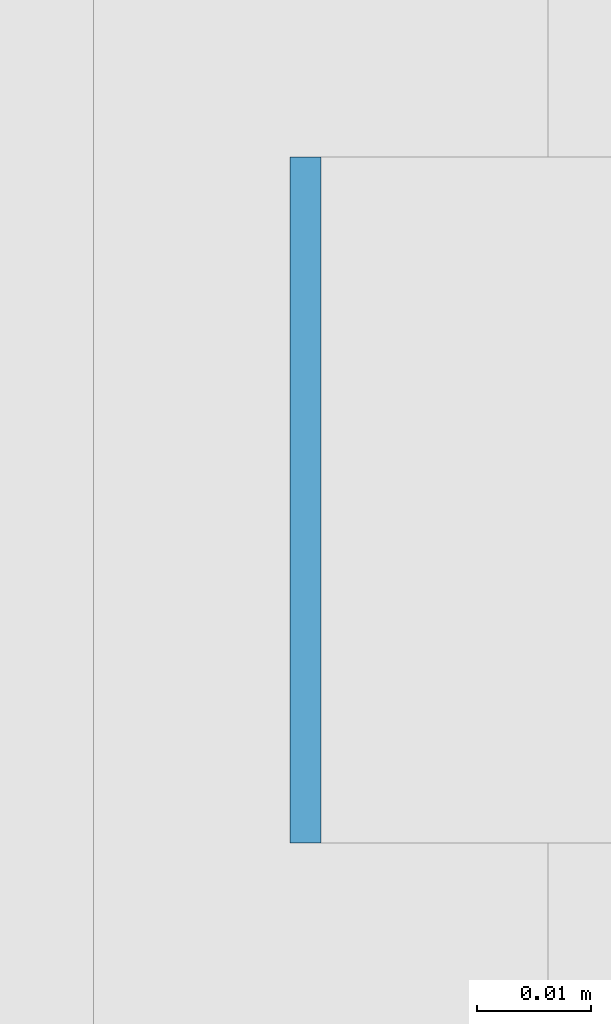
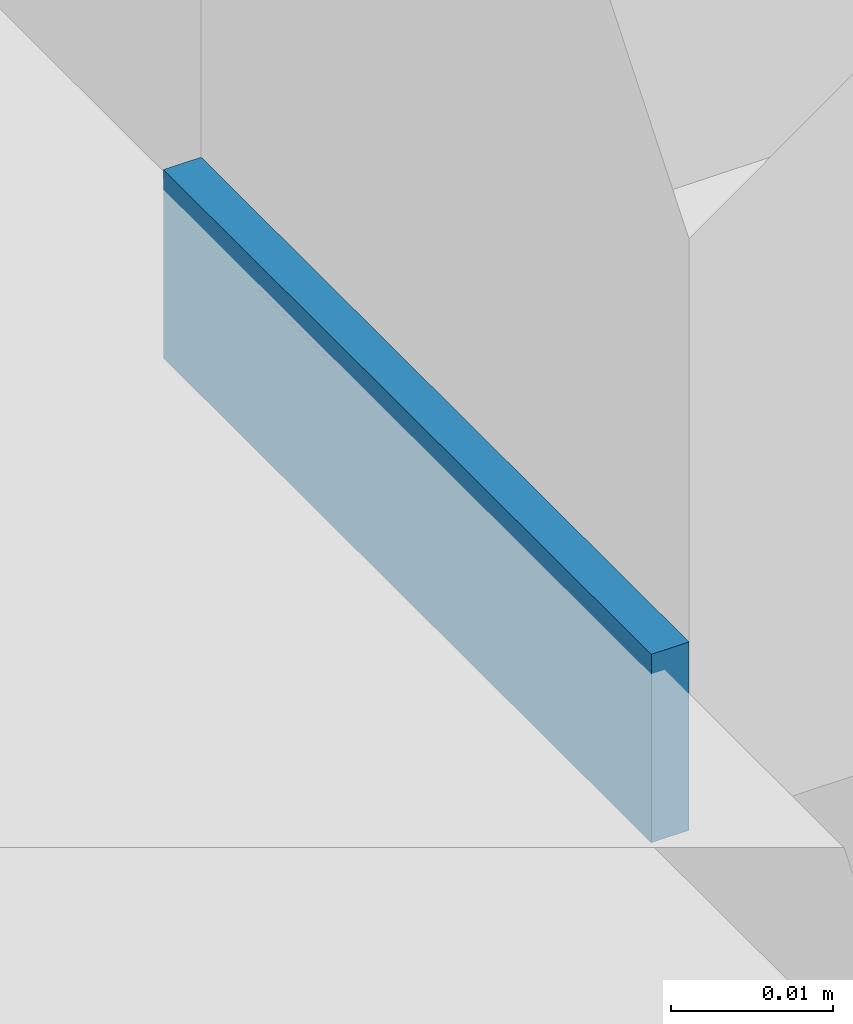
# One storey, part 496 of 646: 1 discrete accessory.
"""IFC4 building model written with IfcOpenShell, lengths in metres."""

import ifcopenshell
import ifcopenshell.guid

model = None  # the IFC model being written
_history = None  # IfcOwnerHistory: only IFC2X3 demands one
_inside = {}  # id of a spatial element -> (the spatial element, [elements in it])
_under = {}  # id of a project, library or spatial element -> (it, [spatial elements below it])
_declared = {}  # id of a project -> (the project, [libraries it declares])
_typed = {}  # id of a type object -> (the type object, [elements of that type])
_made_of = {}  # id of a material, layer set ... -> (it, [elements and type objects made of it])


def new_model(schema):
    """Start an empty IFC model of exactly this schema.

    Asked for "IFC4X3", IfcOpenShell would pick the latest addendum, in which some entities
    have other attributes; the version numbers below select the first issue.
    IFC2X3 requires an IfcOwnerHistory on every rooted entity: one is made here for all.
    """
    global model, _history
    if schema == "IFC4X3":
        model = ifcopenshell.file(schema_version=(4, 3, 0, 0))
    else:
        model = ifcopenshell.file(schema=schema)
    _inside.clear()
    _under.clear()
    _declared.clear()
    _typed.clear()
    _made_of.clear()
    _history = None
    if model.schema == "IFC2X3":
        org = make("IfcOrganization", Name="unknown")
        user = make(
            "IfcPersonAndOrganization",
            ThePerson=make("IfcPerson", FamilyName="unknown"),
            TheOrganization=org,
        )
        app = make(
            "IfcApplication",
            ApplicationDeveloper=org,
            Version="unknown",
            ApplicationFullName="unknown",
            ApplicationIdentifier="unknown",
        )
        _history = make(
            "IfcOwnerHistory",
            OwningUser=user,
            OwningApplication=app,
            ChangeAction="ADDED",
            CreationDate=0,
        )
    return model


def make(cls, **values):
    """One entity of the class cls with the attributes given. An attribute that is None is left unset."""
    return model.create_entity(
        cls, **{name: value for name, value in values.items() if value is not None}
    )


def rooted(cls, **values):
    """An entity with a GlobalId (a new one), such as an element, a storey or a relation."""
    return make(cls, GlobalId=ifcopenshell.guid.new(), OwnerHistory=_history, **values)


def si_unit(unit_type, name, prefix=None):
    """IfcSIUnit, for example si_unit("LENGTHUNIT", "METRE", prefix="MILLI")."""
    return make("IfcSIUnit", UnitType=unit_type, Prefix=prefix, Name=name)


def assignment(units):
    """IfcUnitAssignment: the units of a project."""
    return None if units is None else make("IfcUnitAssignment", Units=units)


def point(xyz):
    """IfcCartesianPoint."""
    return None if xyz is None else make("IfcCartesianPoint", Coordinates=xyz)


def direction(xyz):
    """IfcDirection."""
    return None if xyz is None else make("IfcDirection", DirectionRatios=xyz)


def frame(location, z_axis=None, x_axis=None):
    """IfcAxis2Placement3D, a coordinate frame: its origin and axes. An axis left out is left unset."""
    return make(
        "IfcAxis2Placement3D",
        Location=point(location),
        Axis=direction(z_axis),
        RefDirection=direction(x_axis),
    )


def frame_2d(location, x_axis=None):
    """IfcAxis2Placement2D, a coordinate frame in the plane: its origin and x axis."""
    return make(
        "IfcAxis2Placement2D", Location=point(location), RefDirection=direction(x_axis)
    )


def origin():
    """The frame at (0, 0, 0) with its axes left unset."""
    return frame((0.0, 0.0, 0.0))


def origin_2d():
    """The frame at (0, 0) in the plane with its x axis left unset."""
    return frame_2d((0.0, 0.0))


def place(relative_to, where):
    """IfcLocalPlacement: puts the frame where relative to a parent placement (None: the world)."""
    return make(
        "IfcLocalPlacement", PlacementRelTo=relative_to, RelativePlacement=where
    )


def context(
    kind, dimensions, precision=None, world=None, true_north=None, identifier=None
):
    """IfcGeometricRepresentationContext, for example the 3D "Model" context."""
    return make(
        "IfcGeometricRepresentationContext",
        ContextIdentifier=identifier,
        ContextType=kind,
        CoordinateSpaceDimension=dimensions,
        Precision=precision,
        WorldCoordinateSystem=world,
        TrueNorth=true_north,
    )


def subcontext(parent, identifier, kind, view, scale=None):
    """IfcGeometricRepresentationSubContext, for example "Body" below "Model"."""
    return make(
        "IfcGeometricRepresentationSubContext",
        ContextIdentifier=identifier,
        ContextType=kind,
        ParentContext=parent,
        TargetScale=scale,
        TargetView=view,
    )


def project(units=None, contexts=None):
    """IfcProject with its units and contexts."""
    return rooted(
        "IfcProject",
        Name="project",
        RepresentationContexts=contexts,
        UnitsInContext=assignment(units),
    )


def spatial(cls, under=None, at=None, **own):
    """A site, building, storey or space (cls), placed at a placement, below another one or the project."""
    s = rooted(cls, ObjectPlacement=at, **own)
    if under is not None:
        _under.setdefault(under.id(), (under, []))[1].append(s)
    return s


def profile(cls, at=None, kind="AREA", **sizes):
    """A parametric profile (cls). Its sizes go by their IFC names, for example OverallWidth=200.0."""
    return make(cls, ProfileType=kind, Position=at, **sizes)


def rectangle(**sizes):
    """IfcRectangleProfileDef."""
    return profile("IfcRectangleProfileDef", **sizes)


def extrude(swept, where, along, depth):
    """IfcExtrudedAreaSolid: the profile swept, set in the frame where, extruded along a direction by depth."""
    return make(
        "IfcExtrudedAreaSolid",
        SweptArea=swept,
        Position=where,
        ExtrudedDirection=direction(along),
        Depth=depth,
    )


def shape(context_of_items, identifier, shape_type, items):
    """IfcShapeRepresentation: the items that make up one representation, for example the "Body"."""
    return make(
        "IfcShapeRepresentation",
        ContextOfItems=context_of_items,
        RepresentationIdentifier=identifier,
        RepresentationType=shape_type,
        Items=items,
    )


def material(Name=None, Category=None):
    """IfcMaterial."""
    return make("IfcMaterial", Name=Name, Category=Category)


def made_of(thing, what):
    """Note that an element or type object is made of a material, layer set ...; save() writes the relation."""
    if what is not None:
        _made_of.setdefault(what.id(), (what, []))[1].append(thing)
    return thing


def type_object(cls, material=None, **own):
    """A type object (cls), such as IfcWallType, which elements share."""
    return made_of(rooted(cls, **own), material)


def element(
    cls,
    number,
    at=None,
    inside=None,
    cuts=None,
    type_object=None,
    material=None,
    context=None,
    identifier="Body",
    shape_type=None,
    held_by="IfcProductDefinitionShape",
    body=None,
    shapes=None,
    **own,
):
    """One element of the class cls, such as IfcWall. Its Tag is "e" and its number.

    at: its placement. inside: the storey or other place that contains it. cuts: it is an
    opening in that element (IfcRelVoidsElement). A single representation is given by context,
    identifier, shape_type and body (its items); several are given by shapes. held_by: the class
    of the entity that holds the representations. save() writes the other relations.
    """
    e = rooted(cls, Tag="e%d" % number, ObjectPlacement=at, **own)
    if body is not None:
        shapes = [shape(context, identifier, shape_type, body)]
    if shapes is not None:
        e.Representation = make(held_by, Representations=shapes)
    if inside is not None:
        _inside.setdefault(inside.id(), (inside, []))[1].append(e)
    if cuts is not None:
        rooted(
            "IfcRelVoidsElement", RelatingBuildingElement=cuts, RelatedOpeningElement=e
        )
    if type_object is not None:
        _typed.setdefault(type_object.id(), (type_object, []))[1].append(e)
    return made_of(e, material)


def aggregate(whole, parts):
    """IfcRelAggregates: a whole, such as a stair, and the parts it consists of."""
    return rooted("IfcRelAggregates", RelatingObject=whole, RelatedObjects=parts)


def save(model, path):
    """Write the relations noted so far, then the file.

    IfcRelAggregates (storeys below a building ...), IfcRelContainedInSpatialStructure (elements
    in a storey), IfcRelDefinesByType, IfcRelAssociatesMaterial and IfcRelDeclares: one each for
    every whole, place, type object, material and project.
    """
    for whole, parts in _under.values():
        aggregate(whole, parts)
    for where, things in _inside.values():
        rooted(
            "IfcRelContainedInSpatialStructure",
            RelatedElements=things,
            RelatingStructure=where,
        )
    for kind, things in _typed.values():
        rooted("IfcRelDefinesByType", RelatedObjects=things, RelatingType=kind)
    for what, things in _made_of.values():
        rooted("IfcRelAssociatesMaterial", RelatedObjects=things, RelatingMaterial=what)
    for by, libraries in _declared.values():
        rooted("IfcRelDeclares", RelatingContext=by, RelatedDefinitions=libraries)
    model.write(path)


model = new_model("IFC4")

# Units and contexts
model_context = context("Model", 3, precision=1e-05, world=origin(), true_north=direction((0.0, 1.0)))
body_context = subcontext(model_context, "Body", "Model", "MODEL_VIEW")
ifc_project = project(units=[si_unit("LENGTHUNIT", "METRE"), si_unit("AREAUNIT", "SQUARE_METRE"), si_unit("VOLUMEUNIT", "CUBIC_METRE"), si_unit("PLANEANGLEUNIT", "RADIAN"), si_unit("MASSUNIT", "GRAM", prefix="KILO")], contexts=[model_context])

# Site, building, storey
site_placement = place(None, origin())
site = spatial("IfcSite", under=ifc_project, at=site_placement, CompositionType="ELEMENT")
building_placement = place(site_placement, origin())
building = spatial("IfcBuilding", under=site, at=building_placement, Name="Silverbay Arena", CompositionType="ELEMENT")
storey_placement = place(building_placement, frame((0.0, 0.0, 33.5)))
storey = spatial("IfcBuildingStorey", under=building, at=storey_placement, Name="L05", CompositionType="ELEMENT", Elevation=33.5)

# Discrete accessory
ifc_material = material(Name="Steel S355", Category="steel")
discrete_accessory_type = type_object("IfcDiscreteAccessoryType", Name="Steel bracket plate", PredefinedType="BRACKET", material=ifc_material)
discrete_accessory_placement = place(storey_placement, frame((207.128662109375, 64.28564453125, 4.0), z_axis=(0.0, 0.0, 1.0), x_axis=(1.0, 0.0, 0.0)))
element("IfcDiscreteAccessory", 1, at=discrete_accessory_placement, inside=storey, type_object=discrete_accessory_type, Name="Curtain wall packing plate", PredefinedType="BRACKET", context=body_context, shape_type="SweptSolid", body=[
    extrude(rectangle(XDim=0.002685546875, YDim=0.06005859375, at=origin_2d()), origin(), (0.0, 0.0, 1.0), 0.01416015625),
])

save(model, "model.ifc")
